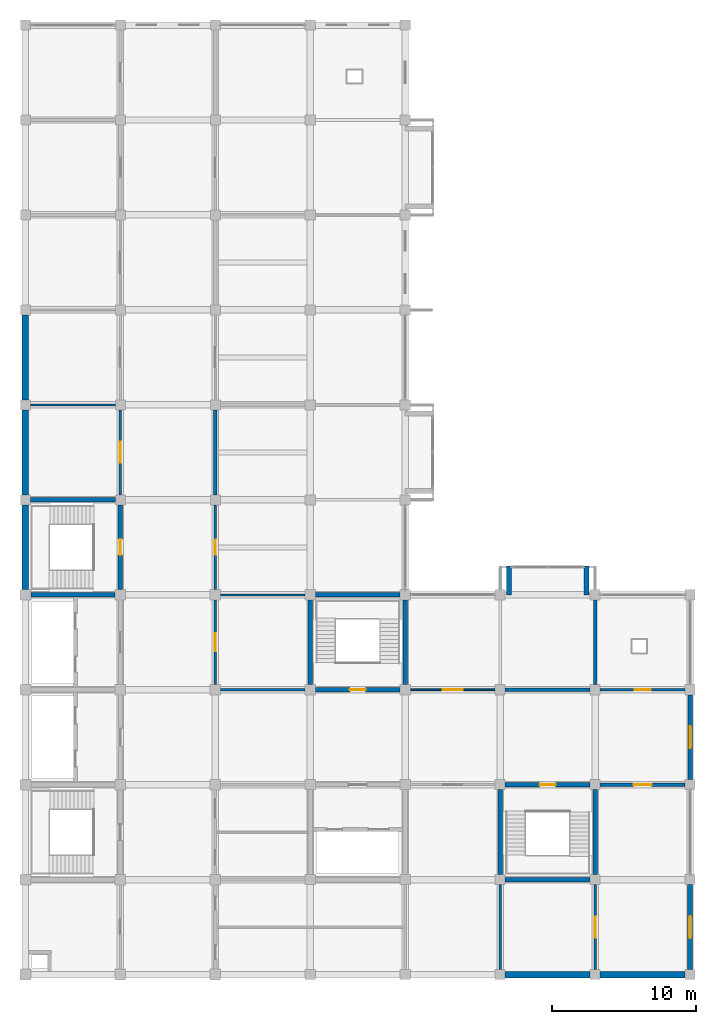
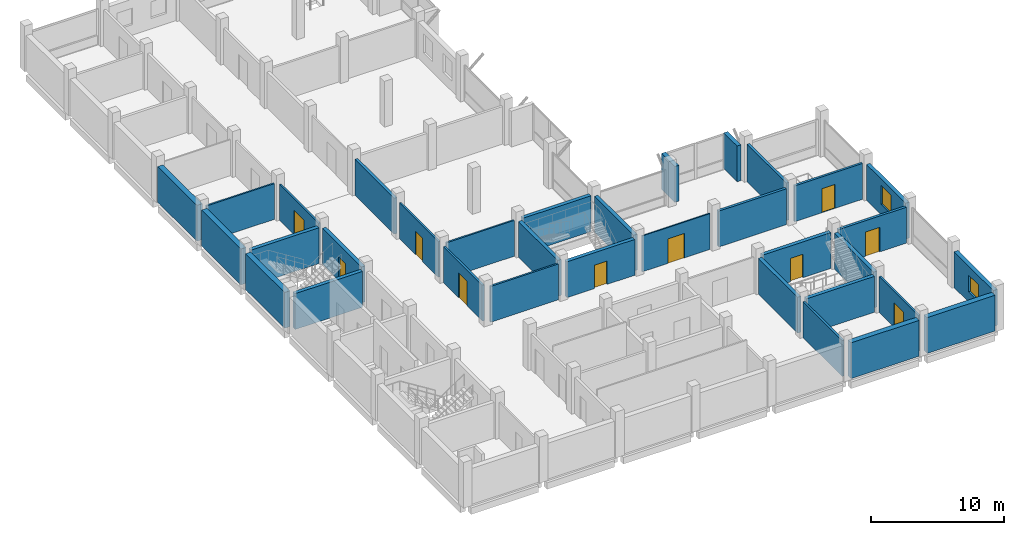
# One storey, part 8 of 11: 34 walls, 10 doors, 2 windows, 12 openings.
"""IFC4 building model written with IfcOpenShell, lengths in metres."""

from ifc_helpers import new_model, si_unit, direction, frame, frame_2d, origin, place, context, subcontext, project, spatial, rectangle, extrude, material, layer, layer_set, type_object, element, fill, save


model = new_model("IFC4")

# Units and contexts
model_context = context("Model", 3, precision=1e-05, world=origin(), true_north=direction((0.0, 1.0)))
body_context = subcontext(model_context, "Body", "Model", "MODEL_VIEW")
ifc_project = project(units=[si_unit("LENGTHUNIT", "METRE"), si_unit("AREAUNIT", "SQUARE_METRE"), si_unit("VOLUMEUNIT", "CUBIC_METRE"), si_unit("PLANEANGLEUNIT", "RADIAN"), si_unit("MASSUNIT", "GRAM", prefix="KILO")], contexts=[model_context])

# Site, building, storey
site_placement = place(None, origin())
site = spatial("IfcSite", under=ifc_project, at=site_placement, CompositionType="ELEMENT")
building_placement = place(site_placement, origin())
building = spatial("IfcBuilding", under=site, at=building_placement, Name="Rusizi Kubbe Research Institute", CompositionType="ELEMENT")
storey_placement = place(building_placement, frame((0.0, 0.0, 39.60009765625)))
storey = spatial("IfcBuildingStorey", under=building, at=storey_placement, Name="L09", CompositionType="ELEMENT", Elevation=39.60009765625)

# Walls
ifc_material_1 = material(Name="Concrete C45/55", Category="concrete")
ifc_layer_1 = layer(ifc_material_1, 0.31494140625)
ifc_layer_set_1 = layer_set([ifc_layer_1], Name="Concrete C45/55")
wall_type_1 = type_object("IfcWallType", Name="CRW-02", PredefinedType="SHEAR", material=ifc_layer_set_1)
wall_1_placement = place(storey_placement, frame((0.375, 26.39990234375, 0.0), z_axis=(0.0, 0.0, 1.0), x_axis=(1.0, 0.0, 0.0)))
element("IfcWall", 1, at=wall_1_placement, inside=storey, type_object=wall_type_1, Name="Stair Core Shear Wall ST2 L09 S", PredefinedType="SHEAR", context=body_context, shape_type="SweptSolid", body=[
    extrude(rectangle(XDim=5.85009765625, YDim=0.31494140625, at=frame_2d((2.925048828125, 0.0))), origin(), (0.0, 0.0, 1.0), 3.289794921875),
])
wall_2_placement = place(storey_placement, frame((0.35009765625, 33.0, 0.0), z_axis=(0.0, 0.0, 1.0), x_axis=(1.0, 0.0, 0.0)))
element("IfcWall", 2, at=wall_2_placement, inside=storey, type_object=wall_type_1, Name="Stair Core Shear Wall ST2 L09 N", PredefinedType="SHEAR", context=body_context, shape_type="SweptSolid", body=[
    extrude(rectangle(XDim=5.89990234375, YDim=0.31494140625, at=frame_2d((2.949951171875, 0.0))), origin(), (0.0, 0.0, 1.0), 3.289794921875),
])

# Wall, opening, door
wall_3_placement = place(storey_placement, frame((6.60009765625, 26.77490234375, 0.0), z_axis=(0.0, 0.0, 1.0), x_axis=(0.0, 1.0, 0.0)))
wall_3 = element("IfcWall", 3, at=wall_3_placement, inside=storey, type_object=wall_type_1, Name="Stair Core Shear Wall ST2 L09 E", PredefinedType="SHEAR", context=body_context, shape_type="SweptSolid", body=[
    extrude(rectangle(XDim=5.875, YDim=0.31494140625, at=frame_2d((2.9375, 0.0))), origin(), (0.0, 0.0, 1.0), 3.289794921875),
])
opening_1_placement = place(wall_3_placement, frame((2.387451171875, 0.0, 0.0)))
opening_1 = element("IfcOpeningElement", 4, at=opening_1_placement, cuts=wall_3, Name="Opening D-01", PredefinedType="OPENING", context=body_context, shape_type="SweptSolid", body=[
    extrude(rectangle(XDim=1.10009765625, YDim=2.14990234375, at=frame_2d((0.550048828125, 1.074951171875))), frame((0.0, 0.16748046875, 0.0), z_axis=(0.0, -1.0, 0.0), x_axis=(1.0, 0.0, 0.0)), (0.0, 0.0, 1.0), 0.3349609375),
])
ifc_material_2 = material(Name="Fire-Rated Steel Frame and Acoustic Timber Leaf", Category="wood")
door_type_1 = type_object("IfcDoorType", Name="ID-STAIR-110", OperationType="NOTDEFINED", PredefinedType="DOOR", material=ifc_material_2)
door_1_placement = place(opening_1_placement, origin())
door_1 = element("IfcDoor", 5, at=door_1_placement, inside=storey, type_object=door_type_1, Name="Exit Stair Door ST2 L09", OperationType="SINGLE_SWING_LEFT", OverallHeight=2.14990234375, OverallWidth=1.10009765625, PredefinedType="DOOR", context=body_context, shape_type="SweptSolid", body=[
    extrude(rectangle(XDim=1.10009765625, YDim=2.14990234375, at=frame_2d((0.550048828125, 1.074951171875))), frame((0.0, 0.02490234375, 0.0), z_axis=(0.0, -1.0, 0.0), x_axis=(1.0, 0.0, 0.0)), (0.0, 0.0, 1.0), 0.050048828125),
])
fill(opening_1, door_1)

wall_4_placement = place(storey_placement, frame((20.14990234375, 19.800048828125, 0.0), z_axis=(0.0, 0.0, 1.0), x_axis=(1.0, 0.0, 0.0)))
wall_4 = element("IfcWall", 6, at=wall_4_placement, inside=storey, type_object=wall_type_1, Name="Stair Core Shear Wall ST3 L09 S", PredefinedType="SHEAR", context=body_context, shape_type="SweptSolid", body=[
    extrude(rectangle(XDim=5.900146484375, YDim=0.31494140625, at=frame_2d((2.9501953125, 0.0))), origin(), (0.0, 0.0, 1.0), 3.289794921875),
])
opening_2_placement = place(wall_4_placement, frame((2.39990234375, 0.0, 0.0)))
opening_2 = element("IfcOpeningElement", 7, at=opening_2_placement, cuts=wall_4, Name="Opening D-01", PredefinedType="OPENING", context=body_context, shape_type="SweptSolid", body=[
    extrude(rectangle(XDim=1.10009765625, YDim=2.14990234375, at=frame_2d((0.550048828125, 1.074951171875))), frame((0.0, 0.16748046875, 0.0), z_axis=(0.0, -1.0, 0.0), x_axis=(1.0, 0.0, 0.0)), (0.0, 0.0, 1.0), 0.3349609375),
])
door_2_placement = place(opening_2_placement, origin())
door_2 = element("IfcDoor", 8, at=door_2_placement, inside=storey, type_object=door_type_1, Name="Exit Stair Door ST3 L09", OperationType="SINGLE_SWING_LEFT", OverallHeight=2.14990234375, OverallWidth=1.10009765625, PredefinedType="DOOR", context=body_context, shape_type="SweptSolid", body=[
    extrude(rectangle(XDim=1.10009765625, YDim=2.14990234375, at=frame_2d((0.550048828125, 1.074951171875))), frame((0.0, 0.02490234375, 0.0), z_axis=(0.0, -1.0, 0.0), x_axis=(1.0, 0.0, 0.0)), (0.0, 0.0, 1.0), 0.050048828125),
])
fill(opening_2, door_2)

# Walls
for number, where, z_axis, x_axis, name in (
    (9, (20.14990234375, 26.39990234375, 0.0), (0.0, 0.0, 1.0), (1.0, 0.0, 0.0), "Stair Core Shear Wall ST3 L09 N"),
    (10, (19.800048828125, 20.14990234375, 0.0), (0.0, 0.0, 1.0), (0.0, 1.0, 0.0), "Stair Core Shear Wall ST3 L09 W"),
    (11, (26.39990234375, 20.14990234375, 0.0), (0.0, 0.0, 1.0), (0.0, 1.0, 0.0), "Stair Core Shear Wall ST3 L09 E"),
):
    element("IfcWall", number, at=place(storey_placement, frame(where, z_axis=z_axis, x_axis=x_axis)), inside=storey, type_object=wall_type_1, Name=name, PredefinedType="SHEAR", context=body_context, shape_type="SweptSolid", body=[
        extrude(rectangle(XDim=5.900146484375, YDim=0.31494140625, at=frame_2d((2.9501953125, 0.0))), origin(), (0.0, 0.0, 1.0), 3.289794921875),
    ])
wall_5_placement = place(storey_placement, frame((33.35009765625, 6.60009765625, 0.0), z_axis=(0.0, 0.0, 1.0), x_axis=(1.0, 0.0, 0.0)))
element("IfcWall", 12, at=wall_5_placement, inside=storey, type_object=wall_type_1, Name="Stair Core Shear Wall ST4 L09 S", PredefinedType="SHEAR", context=body_context, shape_type="SweptSolid", body=[
    extrude(rectangle(XDim=5.89990234375, YDim=0.31494140625, at=frame_2d((2.949951171875, 0.0))), origin(), (0.0, 0.0, 1.0), 3.289794921875),
])

# Wall, opening, door
wall_6_placement = place(storey_placement, frame((33.35009765625, 13.199951171875, 0.0), z_axis=(0.0, 0.0, 1.0), x_axis=(1.0, 0.0, 0.0)))
wall_6 = element("IfcWall", 13, at=wall_6_placement, inside=storey, type_object=wall_type_1, Name="Stair Core Shear Wall ST4 L09 N", PredefinedType="SHEAR", context=body_context, shape_type="SweptSolid", body=[
    extrude(rectangle(XDim=5.89990234375, YDim=0.31494140625, at=frame_2d((2.949951171875, 0.0))), origin(), (0.0, 0.0, 1.0), 3.289794921875),
])
opening_3_placement = place(wall_6_placement, frame((2.39990234375, 0.0, 0.0)))
opening_3 = element("IfcOpeningElement", 14, at=opening_3_placement, cuts=wall_6, Name="Opening D-01", PredefinedType="OPENING", context=body_context, shape_type="SweptSolid", body=[
    extrude(rectangle(XDim=1.10009765625, YDim=2.14990234375, at=frame_2d((0.550048828125, 1.074951171875))), frame((0.0, 0.16748046875, 0.0), z_axis=(0.0, -1.0, 0.0), x_axis=(1.0, 0.0, 0.0)), (0.0, 0.0, 1.0), 0.3349609375),
])
door_3_placement = place(opening_3_placement, origin())
door_3 = element("IfcDoor", 15, at=door_3_placement, inside=storey, type_object=door_type_1, Name="Exit Stair Door ST4 L09", OperationType="SINGLE_SWING_LEFT", OverallHeight=2.14990234375, OverallWidth=1.10009765625, PredefinedType="DOOR", context=body_context, shape_type="SweptSolid", body=[
    extrude(rectangle(XDim=1.10009765625, YDim=2.14990234375, at=frame_2d((0.550048828125, 1.074951171875))), frame((0.0, 0.02490234375, 0.0), z_axis=(0.0, -1.0, 0.0), x_axis=(1.0, 0.0, 0.0)), (0.0, 0.0, 1.0), 0.050048828125),
])
fill(opening_3, door_3)

# Walls
for number, where, z_axis, x_axis, name in (
    (16, (33.0, 6.949951171875, 0.0), (0.0, 0.0, 1.0), (0.0, 1.0, 0.0), "Stair Core Shear Wall ST4 L09 W"),
    (17, (39.60009765625, 6.949951171875, 0.0), (0.0, 0.0, 1.0), (0.0, 1.0, 0.0), "Stair Core Shear Wall ST4 L09 E"),
):
    element("IfcWall", number, at=place(storey_placement, frame(where, z_axis=z_axis, x_axis=x_axis)), inside=storey, type_object=wall_type_1, Name=name, PredefinedType="SHEAR", context=body_context, shape_type="SweptSolid", body=[
        extrude(rectangle(XDim=5.900146484375, YDim=0.31494140625, at=frame_2d((2.9501953125, 0.0))), origin(), (0.0, 0.0, 1.0), 3.289794921875),
    ])
ifc_material_3 = material(Name="Volcanic Basalt Ashlar Masonry", Category="masonry")
ifc_layer_2 = layer(ifc_material_3, 0.35498046875)
ifc_layer_set_2 = layer_set([ifc_layer_2], Name="Volcanic Basalt Ashlar Masonry")
wall_type_2 = type_object("IfcWallType", Name="EW-06", PredefinedType="SOLIDWALL", material=ifc_layer_set_2)
for number, where, z_axis, x_axis, name in (
    (18, (33.60009765625, 26.39990234375, 0.0), (0.0, 0.0, 1.0), (0.0, 1.0, 0.0), "Cumba Return Wall W L09 (5,4)"),
    (19, (39.0, 26.39990234375, 0.0), (0.0, 0.0, 1.0), (0.0, 1.0, 0.0), "Cumba Return Wall E L09 (5,4)"),
):
    element("IfcWall", number, at=place(storey_placement, frame(where, z_axis=z_axis, x_axis=x_axis)), inside=storey, type_object=wall_type_2, Name=name, PredefinedType="SOLIDWALL", context=body_context, shape_type="SweptSolid", body=[
        extrude(rectangle(XDim=2.0, YDim=0.35498046875, at=frame_2d((1.0, 0.0))), origin(), (0.0, 0.0, 1.0), 3.289794921875),
    ])

# Wall, opening, window
wall_7_placement = place(storey_placement, frame((46.199951171875, 0.35009765625, 0.0), z_axis=(0.0, 0.0, 1.0), x_axis=(0.0, 1.0, 0.0)))
wall_7 = element("IfcWall", 20, at=wall_7_placement, inside=storey, type_object=wall_type_2, Name="Ablaq Stone Exterior Wall L09 V7-0", PredefinedType="SOLIDWALL", context=body_context, shape_type="SweptSolid", body=[
    extrude(rectangle(XDim=5.89990234375, YDim=0.35498046875, at=frame_2d((2.949951171875, 0.0))), origin(), (0.0, 0.0, 1.0), 3.289794921875),
])
opening_4_placement = place(wall_7_placement, frame((2.18994140625, 0.0, 0.949951171875)))
opening_4 = element("IfcOpeningElement", 21, at=opening_4_placement, cuts=wall_7, Name="Opening WN-18", PredefinedType="OPENING", context=body_context, shape_type="SweptSolid", body=[
    extrude(rectangle(XDim=1.52001953125, YDim=1.52001953125, at=frame_2d((0.760009765625, 0.760009765625))), frame((0.0, 0.1875, 0.0), z_axis=(0.0, -1.0, 0.0), x_axis=(1.0, 0.0, 0.0)), (0.0, 0.0, 1.0), 0.375),
])
ifc_material_4 = material(Name="Aluminium Frame and Solar-Control Double Glazing", Category="glass")
window_type_1 = type_object("IfcWindowType", Name="WN-18", PartitioningType="DOUBLE_PANEL_VERTICAL", PredefinedType="WINDOW", material=ifc_material_4)
window_1_placement = place(opening_4_placement, origin())
window_1 = element("IfcWindow", 22, at=window_1_placement, inside=storey, type_object=window_type_1, Name="Casement Window WN-18 L09", OverallHeight=1.52001953125, OverallWidth=1.52001953125, PartitioningType="DOUBLE_PANEL_VERTICAL", PredefinedType="WINDOW", context=body_context, shape_type="SweptSolid", body=[
    extrude(rectangle(XDim=1.52001953125, YDim=1.52001953125, at=frame_2d((0.760009765625, 0.760009765625))), frame((0.0, 0.030029296875, 0.0), z_axis=(0.0, -1.0, 0.0), x_axis=(1.0, 0.0, 0.0)), (0.0, 0.0, 1.0), 0.06005859375),
])
fill(opening_4, window_1)

ifc_material_5 = material(Name="Volcanic Basalt Ashlar Masonry", Category="masonry")
ifc_layer_3 = layer(ifc_material_5, 0.324951171875)
ifc_layer_set_3 = layer_set([ifc_layer_3], Name="Volcanic Basalt Ashlar Masonry")
wall_type_3 = type_object("IfcWallType", Name="EW-08", PredefinedType="SOLIDWALL", material=ifc_layer_set_3)
wall_8_placement = place(storey_placement, frame((46.199951171875, 13.550048828125, 0.0), z_axis=(0.0, 0.0, 1.0), x_axis=(0.0, 1.0, 0.0)))
wall_8 = element("IfcWall", 23, at=wall_8_placement, inside=storey, type_object=wall_type_3, Name="Ablaq Stone Exterior Wall L09 V7-2", PredefinedType="SOLIDWALL", context=body_context, shape_type="SweptSolid", body=[
    extrude(rectangle(XDim=5.89990234375, YDim=0.324951171875, at=frame_2d((2.949951171875, 0.0))), origin(), (0.0, 0.0, 1.0), 3.289794921875),
])
opening_5_placement = place(wall_8_placement, frame((2.18994140625, 0.0, 0.949951171875)))
opening_5 = element("IfcOpeningElement", 24, at=opening_5_placement, cuts=wall_8, Name="Opening WN-19", PredefinedType="OPENING", context=body_context, shape_type="SweptSolid", body=[
    extrude(rectangle(XDim=1.52001953125, YDim=1.739990234375, at=frame_2d((0.760009765625, 0.8701171875))), frame((0.0, 0.17236328125, 0.0), z_axis=(0.0, -1.0, 0.0), x_axis=(1.0, 0.0, 0.0)), (0.0, 0.0, 1.0), 0.344970703125),
])
ifc_material_6 = material(Name="Aluminium Frame and Solar-Control Double Glazing", Category="glass")
window_type_2 = type_object("IfcWindowType", Name="WN-19", PartitioningType="DOUBLE_PANEL_VERTICAL", PredefinedType="WINDOW", material=ifc_material_6)
window_2_placement = place(opening_5_placement, origin())
window_2 = element("IfcWindow", 25, at=window_2_placement, inside=storey, type_object=window_type_2, Name="Casement Window WN-19 L09", OverallHeight=1.739990234375, OverallWidth=1.52001953125, PartitioningType="DOUBLE_PANEL_VERTICAL", PredefinedType="WINDOW", context=body_context, shape_type="SweptSolid", body=[
    extrude(rectangle(XDim=1.52001953125, YDim=1.739990234375, at=frame_2d((0.760009765625, 0.8701171875))), frame((0.0, 0.030029296875, 0.0), z_axis=(0.0, -1.0, 0.0), x_axis=(1.0, 0.0, 0.0)), (0.0, 0.0, 1.0), 0.06005859375),
])
fill(opening_5, window_2)

# Walls
ifc_material_7 = material(Name="Concrete Blockwork Fire Partition", Category="masonry")
ifc_layer_4 = layer(ifc_material_7, 0.22509765625)
ifc_layer_set_4 = layer_set([ifc_layer_4], Name="Concrete Blockwork Fire Partition")
wall_type_4 = type_object("IfcWallType", Name="IW-01", PredefinedType="PARTITIONING", material=ifc_layer_set_4)
wall_9_placement = place(storey_placement, frame((33.35009765625, 19.800048828125, 0.0), z_axis=(0.0, 0.0, 1.0), x_axis=(1.0, 0.0, 0.0)))
element("IfcWall", 26, at=wall_9_placement, inside=storey, type_object=wall_type_4, Name="Interior Partition Wall L09 H5-3", PredefinedType="PARTITIONING", context=body_context, shape_type="SweptSolid", body=[
    extrude(rectangle(XDim=5.89990234375, YDim=0.22509765625, at=frame_2d((2.949951171875, 0.0))), origin(), (0.0, 0.0, 1.0), 3.289794921875),
])
wall_10_placement = place(storey_placement, frame((39.60009765625, 20.14990234375, 0.0), z_axis=(0.0, 0.0, 1.0), x_axis=(0.0, 1.0, 0.0)))
element("IfcWall", 27, at=wall_10_placement, inside=storey, type_object=wall_type_4, Name="Interior Partition Wall L09 V6-3", PredefinedType="PARTITIONING", context=body_context, shape_type="SweptSolid", body=[
    extrude(rectangle(XDim=5.900146484375, YDim=0.22509765625, at=frame_2d((2.9501953125, 0.0))), origin(), (0.0, 0.0, 1.0), 3.43994140625),
])

# Wall, opening, door
wall_11_placement = place(storey_placement, frame((39.949951171875, 13.199951171875, 0.0), z_axis=(0.0, 0.0, 1.0), x_axis=(1.0, 0.0, 0.0)))
wall_11 = element("IfcWall", 28, at=wall_11_placement, inside=storey, type_object=wall_type_4, Name="Interior Partition Wall L09 H6-2", PredefinedType="PARTITIONING", context=body_context, shape_type="SweptSolid", body=[
    extrude(rectangle(XDim=5.900146484375, YDim=0.22509765625, at=frame_2d((2.9501953125, 0.0))), origin(), (0.0, 0.0, 1.0), 3.289794921875),
])
opening_6_placement = place(wall_11_placement, frame((2.324951171875, 0.0, 0.0)))
opening_6 = element("IfcOpeningElement", 29, at=opening_6_placement, cuts=wall_11, Name="Opening D-15", PredefinedType="OPENING", context=body_context, shape_type="SweptSolid", body=[
    extrude(rectangle(XDim=1.25, YDim=2.25, at=frame_2d((0.625, 1.125))), frame((0.0, 0.12255859375, 0.0), z_axis=(0.0, -1.0, 0.0), x_axis=(1.0, 0.0, 0.0)), (0.0, 0.0, 1.0), 0.2451171875),
])
ifc_material_8 = material(Name="Fire-Rated Steel Frame and Acoustic Timber Leaf", Category="wood")
door_type_2 = type_object("IfcDoorType", Name="ID-LAB-125", OperationType="NOTDEFINED", PredefinedType="DOOR", material=ifc_material_8)
door_4_placement = place(opening_6_placement, origin())
door_4 = element("IfcDoor", 30, at=door_4_placement, inside=storey, type_object=door_type_2, Name="Door to Catalysis Wet Laboratory (L09-EWS-02)", OperationType="SINGLE_SWING_LEFT", OverallHeight=2.25, OverallWidth=1.25, PredefinedType="DOOR", context=body_context, shape_type="SweptSolid", body=[
    extrude(rectangle(XDim=1.25, YDim=2.25, at=frame_2d((0.625, 1.125))), frame((0.0, 0.02490234375, 0.0), z_axis=(0.0, -1.0, 0.0), x_axis=(1.0, 0.0, 0.0)), (0.0, 0.0, 1.0), 0.050048828125),
])
fill(opening_6, door_4)

ifc_material_9 = material(Name="Insulated Cleanroom Partition", Category="masonry")
ifc_layer_5 = layer(ifc_material_9, 0.195068359375)
ifc_layer_set_5 = layer_set([ifc_layer_5], Name="Insulated Cleanroom Partition")
wall_type_5 = type_object("IfcWallType", Name="IW-02", PredefinedType="PARTITIONING", material=ifc_layer_set_5)
wall_12_placement = place(storey_placement, frame((39.949951171875, 19.800048828125, 0.0), z_axis=(0.0, 0.0, 1.0), x_axis=(1.0, 0.0, 0.0)))
wall_12 = element("IfcWall", 31, at=wall_12_placement, inside=storey, type_object=wall_type_5, Name="Interior Partition Wall L09 H6-3", PredefinedType="PARTITIONING", context=body_context, shape_type="SweptSolid", body=[
    extrude(rectangle(XDim=5.900146484375, YDim=0.195068359375, at=frame_2d((2.9501953125, 0.0))), origin(), (0.0, 0.0, 1.0), 3.289794921875),
])
opening_7_placement = place(wall_12_placement, frame((2.389892578125, 0.0, 0.0)))
opening_7 = element("IfcOpeningElement", 32, at=opening_7_placement, cuts=wall_12, Name="Opening D-18", PredefinedType="OPENING", context=body_context, shape_type="SweptSolid", body=[
    extrude(rectangle(XDim=1.1201171875, YDim=2.199951171875, at=frame_2d((0.56005859375, 1.10009765625))), frame((0.0, 0.107421875, 0.0), z_axis=(0.0, -1.0, 0.0), x_axis=(1.0, 0.0, 0.0)), (0.0, 0.0, 1.0), 0.215087890625),
])
ifc_material_10 = material(Name="Fire-Rated Steel Frame and Acoustic Timber Leaf", Category="wood")
door_type_3 = type_object("IfcDoorType", Name="ID-OFF-112", OperationType="NOTDEFINED", PredefinedType="DOOR", material=ifc_material_10)
door_5_placement = place(opening_7_placement, origin())
door_5 = element("IfcDoor", 33, at=door_5_placement, inside=storey, type_object=door_type_3, Name="Door to Write-up Office (L09-EWN-02)", OperationType="SINGLE_SWING_LEFT", OverallHeight=2.199951171875, OverallWidth=1.1201171875, PredefinedType="DOOR", context=body_context, shape_type="SweptSolid", body=[
    extrude(rectangle(XDim=1.1201171875, YDim=2.199951171875, at=frame_2d((0.56005859375, 1.10009765625))), frame((0.0, 0.02490234375, 0.0), z_axis=(0.0, -1.0, 0.0), x_axis=(1.0, 0.0, 0.0)), (0.0, 0.0, 1.0), 0.050048828125),
])
fill(opening_7, door_5)

ifc_material_11 = material(Name="Acoustic Laboratory Partition", Category="masonry")
ifc_layer_6 = layer(ifc_material_11, 0.175048828125)
ifc_layer_set_6 = layer_set([ifc_layer_6], Name="Acoustic Laboratory Partition")
wall_type_6 = type_object("IfcWallType", Name="IW-03", PredefinedType="PARTITIONING", material=ifc_layer_set_6)
wall_13_placement = place(storey_placement, frame((13.199951171875, 20.175048828125, 0.0), z_axis=(0.0, 0.0, 1.0), x_axis=(0.0, 1.0, 0.0)))
wall_13 = element("IfcWall", 34, at=wall_13_placement, inside=storey, type_object=wall_type_6, Name="Interior Partition Wall L09 V2-3", PredefinedType="PARTITIONING", context=body_context, shape_type="SweptSolid", body=[
    extrude(rectangle(XDim=5.849853515625, YDim=0.175048828125, at=frame_2d((2.9248046875, 0.0))), origin(), (0.0, 0.0, 1.0), 3.289794921875),
])
opening_8_placement = place(wall_13_placement, frame((2.300048828125, 0.0, 0.0)))
opening_8 = element("IfcOpeningElement", 35, at=opening_8_placement, cuts=wall_13, Name="Opening D-15", PredefinedType="OPENING", context=body_context, shape_type="SweptSolid", body=[
    extrude(rectangle(XDim=1.25, YDim=2.25, at=frame_2d((0.625, 1.125))), frame((0.0, 0.097412109375, 0.0), z_axis=(0.0, -1.0, 0.0), x_axis=(1.0, 0.0, 0.0)), (0.0, 0.0, 1.0), 0.195068359375),
])
door_6_placement = place(opening_8_placement, origin())
door_6 = element("IfcDoor", 36, at=door_6_placement, inside=storey, type_object=door_type_2, Name="Door to Computational Dry Laboratory (L09-NW-01)", OperationType="SINGLE_SWING_LEFT", OverallHeight=2.25, OverallWidth=1.25, PredefinedType="DOOR", context=body_context, shape_type="SweptSolid", body=[
    extrude(rectangle(XDim=1.25, YDim=2.25, at=frame_2d((0.625, 1.125))), frame((0.0, 0.02490234375, 0.0), z_axis=(0.0, -1.0, 0.0), x_axis=(1.0, 0.0, 0.0)), (0.0, 0.0, 1.0), 0.050048828125),
])
fill(opening_8, door_6)

# Wall
wall_14_placement = place(storey_placement, frame((33.0, 0.35009765625, 0.0), z_axis=(0.0, 0.0, 1.0), x_axis=(0.0, 1.0, 0.0)))
element("IfcWall", 37, at=wall_14_placement, inside=storey, type_object=wall_type_6, Name="Interior Partition Wall L09 V5-0", PredefinedType="PARTITIONING", context=body_context, shape_type="SweptSolid", body=[
    extrude(rectangle(XDim=5.89990234375, YDim=0.175048828125, at=frame_2d((2.949951171875, 0.0))), origin(), (0.0, 0.0, 1.0), 3.289794921875),
])

# Wall, opening, door
ifc_material_12 = material(Name="Fire-Rated Corridor Partition", Category="masonry")
ifc_layer_7 = layer(ifc_material_12, 0.155029296875)
ifc_layer_set_7 = layer_set([ifc_layer_7], Name="Fire-Rated Corridor Partition")
wall_type_7 = type_object("IfcWallType", Name="IW-04", PredefinedType="PARTITIONING", material=ifc_layer_set_7)
wall_15_placement = place(storey_placement, frame((6.60009765625, 33.35009765625, 0.0), z_axis=(0.0, 0.0, 1.0), x_axis=(0.0, 1.0, 0.0)))
wall_15 = element("IfcWall", 38, at=wall_15_placement, inside=storey, type_object=wall_type_7, Name="Interior Partition Wall L09 V1-5", PredefinedType="PARTITIONING", context=body_context, shape_type="SweptSolid", body=[
    extrude(rectangle(XDim=5.89990234375, YDim=0.155029296875, at=frame_2d((2.949951171875, 0.0))), origin(), (0.0, 0.0, 1.0), 3.289794921875),
])
opening_9_placement = place(wall_15_placement, frame((2.2099609375, 0.0, 0.0)))
opening_9 = element("IfcOpeningElement", 39, at=opening_9_placement, cuts=wall_15, Name="Opening LD-08", PredefinedType="OPENING", context=body_context, shape_type="SweptSolid", body=[
    extrude(rectangle(XDim=1.47998046875, YDim=2.25, at=frame_2d((0.739990234375, 1.125))), frame((0.0, 0.08740234375, 0.0), z_axis=(0.0, -1.0, 0.0), x_axis=(1.0, 0.0, 0.0)), (0.0, 0.0, 1.0), 0.175048828125),
])
ifc_material_13 = material(Name="Brushed Stainless Steel Sliding Door", Category="steel")
door_type_4 = type_object("IfcDoorType", Name="LD-08", OperationType="DOUBLE_DOOR_SLIDING", PredefinedType="USERDEFINED", material=ifc_material_13)
door_7_placement = place(opening_9_placement, origin())
door_7 = element("IfcDoor", 40, at=door_7_placement, inside=storey, type_object=door_type_4, Name="Door to Clean Room Gowning Airlock (L09-ALK-05)", ObjectType="SLIDING DOOR", OperationType="DOUBLE_DOOR_SLIDING", OverallHeight=2.25, OverallWidth=1.47998046875, PredefinedType="USERDEFINED", context=body_context, shape_type="SweptSolid", body=[
    extrude(rectangle(XDim=1.47998046875, YDim=2.25, at=frame_2d((0.739990234375, 1.125))), frame((0.0, 0.02490234375, 0.0), z_axis=(0.0, -1.0, 0.0), x_axis=(1.0, 0.0, 0.0)), (0.0, 0.0, 1.0), 0.050048828125),
])
fill(opening_9, door_7)

wall_16_placement = place(storey_placement, frame((13.199951171875, 26.77490234375, 0.0), z_axis=(0.0, 0.0, 1.0), x_axis=(0.0, 1.0, 0.0)))
wall_16 = element("IfcWall", 41, at=wall_16_placement, inside=storey, type_object=wall_type_7, Name="Interior Partition Wall L09 V2-4", PredefinedType="PARTITIONING", context=body_context, shape_type="SweptSolid", body=[
    extrude(rectangle(XDim=5.875, YDim=0.155029296875, at=frame_2d((2.9375, 0.0))), origin(), (0.0, 0.0, 1.0), 3.289794921875),
])
opening_10_placement = place(wall_16_placement, frame((2.39990234375, 0.0, 0.0)))
opening_10 = element("IfcOpeningElement", 42, at=opening_10_placement, cuts=wall_16, Name="Opening D-16", PredefinedType="OPENING", context=body_context, shape_type="SweptSolid", body=[
    extrude(rectangle(XDim=1.050048828125, YDim=2.14990234375, at=frame_2d((0.52490234375, 1.074951171875))), frame((0.0, 0.08740234375, 0.0), z_axis=(0.0, -1.0, 0.0), x_axis=(1.0, 0.0, 0.0)), (0.0, 0.0, 1.0), 0.175048828125),
])
ifc_material_14 = material(Name="Fire-Rated Steel Frame and Acoustic Timber Leaf", Category="wood")
door_type_5 = type_object("IfcDoorType", Name="ID-OFF-105", OperationType="NOTDEFINED", PredefinedType="DOOR", material=ifc_material_14)
door_8_placement = place(opening_10_placement, origin())
door_8 = element("IfcDoor", 43, at=door_8_placement, inside=storey, type_object=door_type_5, Name="Door to Write-up Office (L09-NW-02)", OperationType="SINGLE_SWING_LEFT", OverallHeight=2.14990234375, OverallWidth=1.050048828125, PredefinedType="DOOR", context=body_context, shape_type="SweptSolid", body=[
    extrude(rectangle(XDim=1.050048828125, YDim=2.14990234375, at=frame_2d((0.52490234375, 1.074951171875))), frame((0.0, 0.02490234375, 0.0), z_axis=(0.0, -1.0, 0.0), x_axis=(1.0, 0.0, 0.0)), (0.0, 0.0, 1.0), 0.050048828125),
])
fill(opening_10, door_8)

# Wall
wall_17_placement = place(storey_placement, frame((13.574951171875, 19.800048828125, 0.0), z_axis=(0.0, 0.0, 1.0), x_axis=(1.0, 0.0, 0.0)))
element("IfcWall", 44, at=wall_17_placement, inside=storey, type_object=wall_type_7, Name="Interior Partition Wall L09 H2-3", PredefinedType="PARTITIONING", context=body_context, shape_type="SweptSolid", body=[
    extrude(rectangle(XDim=5.875, YDim=0.155029296875, at=frame_2d((2.9375, 0.0))), origin(), (0.0, 0.0, 1.0), 3.289794921875),
])

# Wall, opening, door
wall_18_placement = place(storey_placement, frame((39.60009765625, 0.35009765625, 0.0), z_axis=(0.0, 0.0, 1.0), x_axis=(0.0, 1.0, 0.0)))
wall_18 = element("IfcWall", 45, at=wall_18_placement, inside=storey, type_object=wall_type_7, Name="Interior Partition Wall L09 V6-0", PredefinedType="PARTITIONING", context=body_context, shape_type="SweptSolid", body=[
    extrude(rectangle(XDim=5.89990234375, YDim=0.155029296875, at=frame_2d((2.949951171875, 0.0))), origin(), (0.0, 0.0, 1.0), 3.289794921875),
])
opening_11_placement = place(wall_18_placement, frame((2.22509765625, 0.0, 0.0)))
opening_11 = element("IfcOpeningElement", 46, at=opening_11_placement, cuts=wall_18, Name="Opening D-11", PredefinedType="OPENING", context=body_context, shape_type="SweptSolid", body=[
    extrude(rectangle(XDim=1.449951171875, YDim=2.25, at=frame_2d((0.72509765625, 1.125))), frame((0.0, 0.08740234375, 0.0), z_axis=(0.0, -1.0, 0.0), x_axis=(1.0, 0.0, 0.0)), (0.0, 0.0, 1.0), 0.175048828125),
])
ifc_material_15 = material(Name="Fire-Rated Steel Frame and Acoustic Timber Leaf", Category="wood")
door_type_6 = type_object("IfcDoorType", Name="ID-LAB-145", OperationType="NOTDEFINED", PredefinedType="DOOR", material=ifc_material_15)
door_9_placement = place(opening_11_placement, origin())
door_9 = element("IfcDoor", 47, at=door_9_placement, inside=storey, type_object=door_type_6, Name="Door to Laboratory Instrument Support Room (L09-EWU-05)", OperationType="SINGLE_SWING_LEFT", OverallHeight=2.25, OverallWidth=1.449951171875, PredefinedType="DOOR", context=body_context, shape_type="SweptSolid", body=[
    extrude(rectangle(XDim=1.449951171875, YDim=2.25, at=frame_2d((0.72509765625, 1.125))), frame((0.0, 0.02490234375, 0.0), z_axis=(0.0, -1.0, 0.0), x_axis=(1.0, 0.0, 0.0)), (0.0, 0.0, 1.0), 0.050048828125),
])
fill(opening_11, door_9)

# Walls
ifc_material_16 = material(Name="Write-up Glazed Acoustic Partition", Category="masonry")
ifc_layer_8 = layer(ifc_material_16, 0.139892578125)
ifc_layer_set_8 = layer_set([ifc_layer_8], Name="Write-up Glazed Acoustic Partition")
wall_type_8 = type_object("IfcWallType", Name="IW-05", PredefinedType="PARTITIONING", material=ifc_layer_set_8)
wall_19_placement = place(storey_placement, frame((0.35009765625, 39.60009765625, 0.0), z_axis=(0.0, 0.0, 1.0), x_axis=(1.0, 0.0, 0.0)))
element("IfcWall", 48, at=wall_19_placement, inside=storey, type_object=wall_type_8, Name="Interior Partition Wall L09 H0-6", PredefinedType="PARTITIONING", context=body_context, shape_type="SweptSolid", body=[
    extrude(rectangle(XDim=5.89990234375, YDim=0.139892578125, at=frame_2d((2.949951171875, 0.0))), origin(), (0.0, 0.0, 1.0), 3.289794921875),
])
wall_20_placement = place(storey_placement, frame((13.574951171875, 26.39990234375, 0.0), z_axis=(0.0, 0.0, 1.0), x_axis=(1.0, 0.0, 0.0)))
element("IfcWall", 49, at=wall_20_placement, inside=storey, type_object=wall_type_8, Name="Interior Partition Wall L09 H2-4", PredefinedType="PARTITIONING", context=body_context, shape_type="SweptSolid", body=[
    extrude(rectangle(XDim=5.875, YDim=0.139892578125, at=frame_2d((2.9375, 0.0))), origin(), (0.0, 0.0, 1.0), 3.289794921875),
])

# Wall, opening, door
ifc_material_17 = material(Name="Sub-Suite Fire Partition", Category="masonry")
ifc_layer_9 = layer(ifc_material_17, 0.110107421875)
ifc_layer_set_9 = layer_set([ifc_layer_9], Name="Sub-Suite Fire Partition")
wall_type_9 = type_object("IfcWallType", Name="IW-07", PredefinedType="PARTITIONING", material=ifc_layer_set_9)
wall_21_placement = place(storey_placement, frame((26.75, 19.800048828125, 0.0), z_axis=(0.0, 0.0, 1.0), x_axis=(1.0, 0.0, 0.0)))
wall_21 = element("IfcWall", 50, at=wall_21_placement, inside=storey, type_object=wall_type_9, Name="Interior Partition Wall L09 H4-3", PredefinedType="PARTITIONING", context=body_context, shape_type="SweptSolid", body=[
    extrude(rectangle(XDim=5.89990234375, YDim=0.110107421875, at=frame_2d((2.949951171875, 0.0))), origin(), (0.0, 0.0, 1.0), 3.289794921875),
])
opening_12_placement = place(wall_21_placement, frame((2.25, 0.0, 0.0)))
opening_12 = element("IfcOpeningElement", 51, at=opening_12_placement, cuts=wall_21, Name="Opening D-12", PredefinedType="OPENING", context=body_context, shape_type="SweptSolid", body=[
    extrude(rectangle(XDim=1.39990234375, YDim=2.25, at=frame_2d((0.699951171875, 1.125))), frame((0.0, 0.06494140625, 0.0), z_axis=(0.0, -1.0, 0.0), x_axis=(1.0, 0.0, 0.0)), (0.0, 0.0, 1.0), 0.130126953125),
])
ifc_material_18 = material(Name="Fire-Rated Steel Frame and Acoustic Timber Leaf", Category="wood")
door_type_7 = type_object("IfcDoorType", Name="ID-LAB-140", OperationType="NOTDEFINED", PredefinedType="DOOR", material=ifc_material_18)
door_10_placement = place(opening_12_placement, origin())
door_10 = element("IfcDoor", 52, at=door_10_placement, inside=storey, type_object=door_type_7, Name="Door to Molecular Diagnostics Laboratory (L09-EWN-01)", OperationType="SINGLE_SWING_RIGHT", OverallHeight=2.25, OverallWidth=1.39990234375, PredefinedType="DOOR", context=body_context, shape_type="SweptSolid", body=[
    extrude(rectangle(XDim=1.39990234375, YDim=2.25, at=frame_2d((0.699951171875, 1.125))), frame((0.0, 0.02490234375, 0.0), z_axis=(0.0, -1.0, 0.0), x_axis=(1.0, 0.0, 0.0)), (0.0, 0.0, 1.0), 0.050048828125),
])
fill(opening_12, door_10)

# Walls
ifc_material_19 = material(Name="Concrete C40/50", Category="concrete")
ifc_layer_10 = layer(ifc_material_19, 0.4599609375)
ifc_layer_set_10 = layer_set([ifc_layer_10], Name="Concrete C40/50")
wall_type_10 = type_object("IfcWallType", Name="PW-02", PredefinedType="SOLIDWALL", material=ifc_layer_set_10)
wall_22_placement = place(storey_placement, frame((0.0, 26.77490234375, 0.0), z_axis=(0.0, 0.0, 1.0), x_axis=(0.0, 1.0, 0.0)))
element("IfcWall", 53, at=wall_22_placement, inside=storey, type_object=wall_type_10, Name="Blind Party Wall L09 V0-4", PredefinedType="SOLIDWALL", context=body_context, shape_type="SweptSolid", body=[
    extrude(rectangle(XDim=5.875, YDim=0.4599609375, at=frame_2d((2.9375, 0.0))), origin(), (0.0, 0.0, 1.0), 3.289794921875),
])
wall_23_placement = place(storey_placement, frame((0.0, 33.35009765625, 0.0), z_axis=(0.0, 0.0, 1.0), x_axis=(0.0, 1.0, 0.0)))
element("IfcWall", 54, at=wall_23_placement, inside=storey, type_object=wall_type_10, Name="Blind Party Wall L09 V0-5", PredefinedType="SOLIDWALL", context=body_context, shape_type="SweptSolid", body=[
    extrude(rectangle(XDim=5.89990234375, YDim=0.4599609375, at=frame_2d((2.949951171875, 0.0))), origin(), (0.0, 0.0, 1.0), 3.289794921875),
])
wall_24_placement = place(storey_placement, frame((0.0, 39.949951171875, 0.0), z_axis=(0.0, 0.0, 1.0), x_axis=(0.0, 1.0, 0.0)))
element("IfcWall", 55, at=wall_24_placement, inside=storey, type_object=wall_type_10, Name="Blind Party Wall L09 V0-6", PredefinedType="SOLIDWALL", context=body_context, shape_type="SweptSolid", body=[
    extrude(rectangle(XDim=5.900146484375, YDim=0.4599609375, at=frame_2d((2.9501953125, 0.0))), origin(), (0.0, 0.0, 1.0), 3.289794921875),
])
wall_25_placement = place(storey_placement, frame((33.35009765625, 0.0, 0.0), z_axis=(0.0, 0.0, 1.0), x_axis=(1.0, 0.0, 0.0)))
element("IfcWall", 56, at=wall_25_placement, inside=storey, type_object=wall_type_10, Name="Blind Party Wall L09 H5-0", PredefinedType="SOLIDWALL", context=body_context, shape_type="SweptSolid", body=[
    extrude(rectangle(XDim=5.89990234375, YDim=0.4599609375, at=frame_2d((2.949951171875, 0.0))), origin(), (0.0, 0.0, 1.0), 3.289794921875),
])
wall_26_placement = place(storey_placement, frame((39.949951171875, 0.0, 0.0), z_axis=(0.0, 0.0, 1.0), x_axis=(1.0, 0.0, 0.0)))
element("IfcWall", 57, at=wall_26_placement, inside=storey, type_object=wall_type_10, Name="Blind Party Wall L09 H6-0", PredefinedType="SOLIDWALL", context=body_context, shape_type="SweptSolid", body=[
    extrude(rectangle(XDim=5.900146484375, YDim=0.4599609375, at=frame_2d((2.9501953125, 0.0))), origin(), (0.0, 0.0, 1.0), 3.289794921875),
])
ifc_material_20 = material(Name="Concrete C40/50", Category="concrete")
ifc_layer_11 = layer(ifc_material_20, 0.2548828125)
ifc_layer_set_11 = layer_set([ifc_layer_11], Name="Concrete C40/50")
wall_type_11 = type_object("IfcWallType", Name="SHW-02", PredefinedType="SHEAR", material=ifc_layer_set_11)
wall_27_placement = place(storey_placement, frame((13.199951171875, 33.35009765625, 0.0), z_axis=(0.0, 0.0, 1.0), x_axis=(0.0, 1.0, 0.0)))
element("IfcWall", 58, at=wall_27_placement, inside=storey, type_object=wall_type_11, Name="Interior Partition Wall L09 V2-5", PredefinedType="SHEAR", context=body_context, shape_type="SweptSolid", body=[
    extrude(rectangle(XDim=5.89990234375, YDim=0.2548828125, at=frame_2d((2.949951171875, 0.0))), origin(), (0.0, 0.0, 1.0), 3.289794921875),
])

save(model, "model.ifc")
